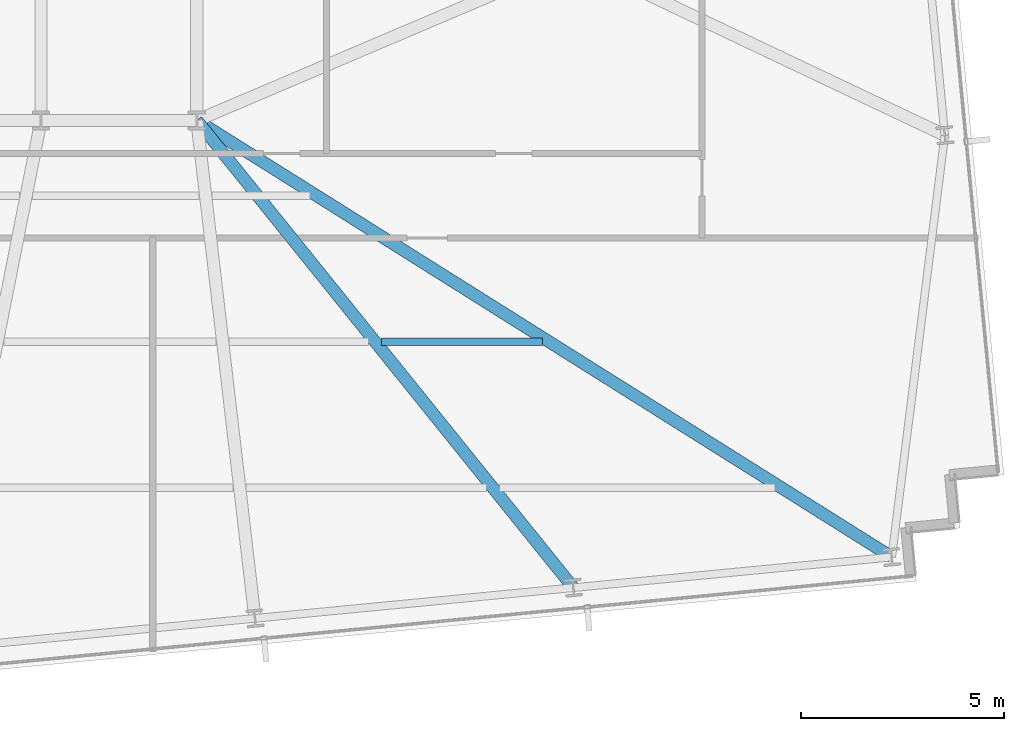
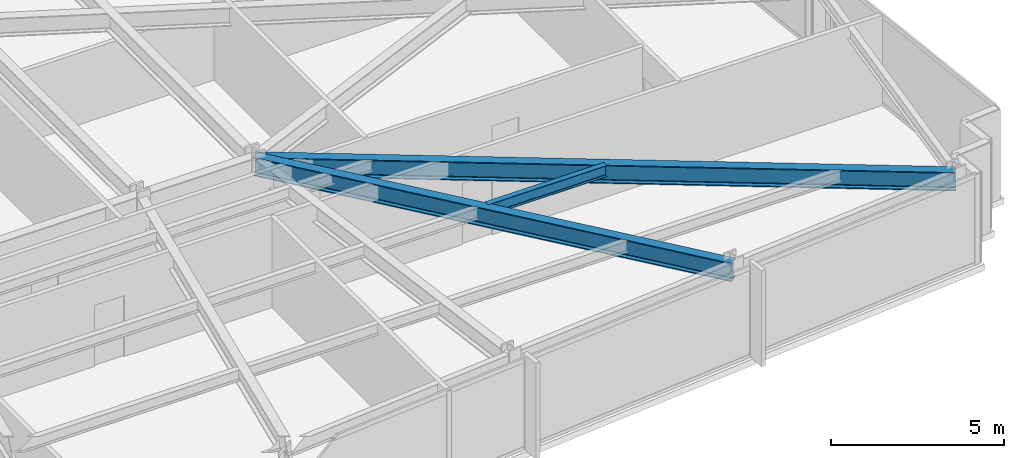
# One storey, part 13 of 32: 3 beams.
"""IFC4 building model written with IfcOpenShell, lengths in metres."""

from ifc_helpers import new_model, si_unit, direction, frame, origin, origin_2d, place, context, subcontext, project, spatial, i_section, extrude, material, material_profile, profile_set, type_object, element, save


model = new_model("IFC4")

# Units and contexts
model_context = context("Model", 3, precision=1e-05, world=origin(), true_north=direction((0.0, 1.0)))
body_context = subcontext(model_context, "Body", "Model", "MODEL_VIEW")
ifc_project = project(units=[si_unit("LENGTHUNIT", "METRE"), si_unit("AREAUNIT", "SQUARE_METRE"), si_unit("VOLUMEUNIT", "CUBIC_METRE"), si_unit("PLANEANGLEUNIT", "RADIAN"), si_unit("MASSUNIT", "GRAM", prefix="KILO")], contexts=[model_context])

# Site, building, storey
site_placement = place(None, origin())
site = spatial("IfcSite", under=ifc_project, at=site_placement, CompositionType="ELEMENT")
building_placement = place(site_placement, origin())
building = spatial("IfcBuilding", under=site, at=building_placement, Name="Yelkora Congress Tower", CompositionType="ELEMENT")
storey_placement = place(building_placement, frame((0.0, 0.0, 103.300048828125)))
storey = spatial("IfcBuildingStorey", under=building, at=storey_placement, Name="L27", CompositionType="ELEMENT", Elevation=103.300048828125)

# Beams
ifc_material = material(Name="Steel S355J2", Category="steel")
ifc_material_profile_1 = material_profile(ifc_material, i_section(OverallWidth=0.300048828125, OverallDepth=0.64990234375, WebThickness=0.01611328125, FlangeThickness=0.031005859375, FilletRadius=0.027099609375, at=origin_2d()), Name="HEB 650")
ifc_profile_set_1 = profile_set([ifc_material_profile_1], Name="Steel S355J2")
beam_type_1 = type_object("IfcBeamType", Name="BM-GIRD-HEB650", PredefinedType="BEAM", material=ifc_profile_set_1)
beam_1_placement = place(storey_placement, frame((66.882568359375, 13.67919921875, 2.85498046875), z_axis=(-0.627405981031, 0.778692323686, 0.0), x_axis=(-0.778692323686, -0.627405981031, 0.0)))
element("IfcBeam", 1, at=beam_1_placement, inside=storey, type_object=beam_type_1, Name="L27 Primary Frame Girder S07", PredefinedType="BEAM", context=body_context, shape_type="SweptSolid", body=[
    extrude(i_section(OverallWidth=0.300048828125, OverallDepth=0.64990234375, WebThickness=0.01611328125, FlangeThickness=0.031005859375, FilletRadius=0.027099609375, at=origin_2d()), origin(), (0.0, 0.0, 1.0), 14.794921875),
])
beam_2_placement = place(storey_placement, frame((74.73193359375, 14.43505859375, 2.85498046875), z_axis=(-0.846718708798, 0.532040814385, 0.0), x_axis=(-0.532040814385, -0.846718708798, 0.0)))
element("IfcBeam", 2, at=beam_2_placement, inside=storey, type_object=beam_type_1, Name="L27 Primary Frame Girder S08", PredefinedType="BEAM", context=body_context, shape_type="SweptSolid", body=[
    extrude(i_section(OverallWidth=0.300048828125, OverallDepth=0.64990234375, WebThickness=0.01611328125, FlangeThickness=0.031005859375, FilletRadius=0.027099609375, at=origin_2d()), origin(), (0.0, 0.0, 1.0), 20.233154296875),
])
ifc_material_profile_2 = material_profile(ifc_material, i_section(OverallWidth=0.179931640625, OverallDepth=0.39990234375, WebThickness=0.008544921875, FlangeThickness=0.013427734375, FilletRadius=0.02099609375, at=origin_2d()), Name="IPE 400")
ifc_profile_set_2 = profile_set([ifc_material_profile_2], Name="Steel S355J2")
beam_type_2 = type_object("IfcBeamType", Name="BM-JOIST-IPE400", PredefinedType="JOIST", material=ifc_profile_set_2)
beam_3_placement = place(storey_placement, frame((62.15576171875, 19.744384765625, 2.97998046875), z_axis=(1.0, 0.0, 0.0), x_axis=(0.0, 1.0, 0.0)))
element("IfcBeam", 3, at=beam_3_placement, inside=storey, type_object=beam_type_2, Name="L27 Composite Floor Joist 17", PredefinedType="JOIST", context=body_context, shape_type="SweptSolid", body=[
    extrude(i_section(OverallWidth=0.179931640625, OverallDepth=0.39990234375, WebThickness=0.008544921875, FlangeThickness=0.013427734375, FilletRadius=0.02099609375, at=origin_2d()), origin(), (0.0, 0.0, 1.0), 3.966552734375),
])

save(model, "model.ifc")
